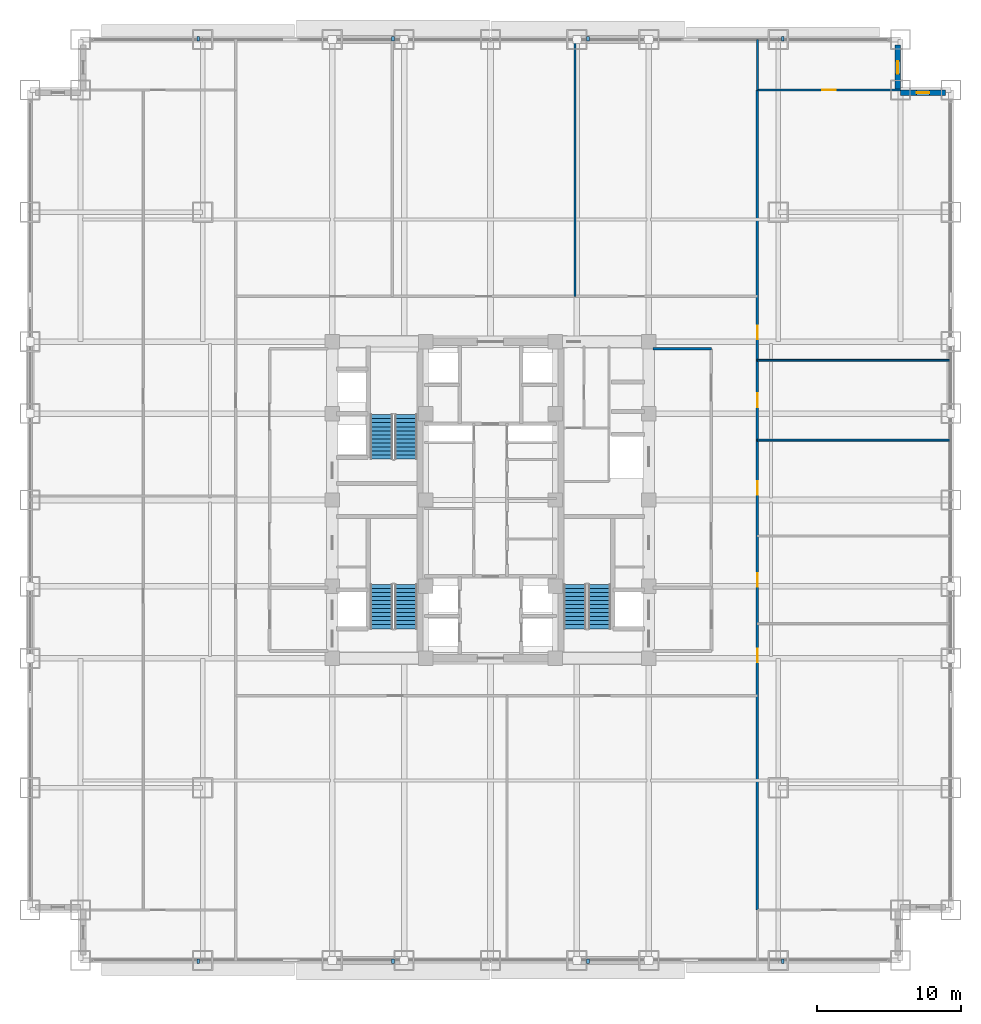
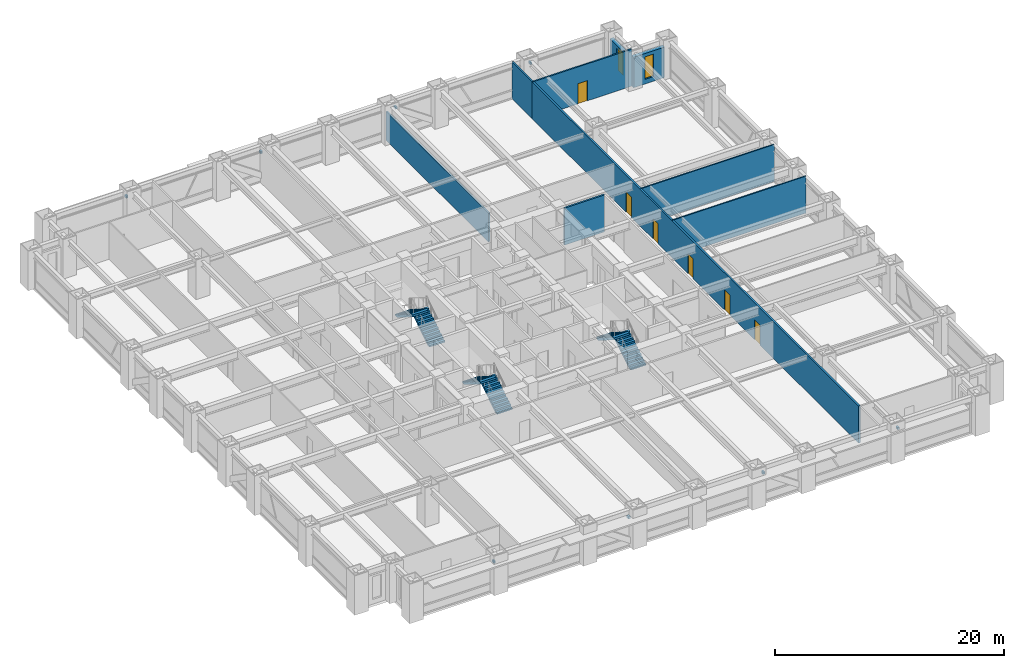
# One storey, part 27 of 32: 9 walls, 8 discrete accessories, 6 doors, 6 stair flights, 2 windows, 8 openings, 3 elements without a shape of their own.
"""IFC4 building model written with IfcOpenShell, lengths in metres."""

from ifc_helpers import new_model, si_unit, direction, frame, frame_2d, origin, origin_2d, place, context, subcontext, project, spatial, polyline, rectangle, outline, extrude, source, transform, mapped, material, layer, layer_set, type_object, element, fill, aggregate, save


model = new_model("IFC4")

# Units and contexts
model_context = context("Model", 3, precision=1e-05, world=origin(), true_north=direction((0.0, 1.0)))
body_context = subcontext(model_context, "Body", "Model", "MODEL_VIEW")
ifc_project = project(units=[si_unit("LENGTHUNIT", "METRE"), si_unit("AREAUNIT", "SQUARE_METRE"), si_unit("VOLUMEUNIT", "CUBIC_METRE"), si_unit("PLANEANGLEUNIT", "RADIAN"), si_unit("MASSUNIT", "GRAM", prefix="KILO")], contexts=[model_context])

# Site, building, storey
site_placement = place(None, origin())
site = spatial("IfcSite", under=ifc_project, at=site_placement, CompositionType="ELEMENT")
building_placement = place(site_placement, origin())
building = spatial("IfcBuilding", under=site, at=building_placement, Name="Khorayat Bourse Tower", CompositionType="ELEMENT")
storey_placement = place(building_placement, frame((0.0, 0.0, 74.60009765625)))
storey = spatial("IfcBuildingStorey", under=building, at=storey_placement, Name="L16", CompositionType="ELEMENT", Elevation=74.60009765625)

# Wall, opening, window
ifc_material_1 = material(Name="Precast concrete C45/55", Category="concrete")
ifc_layer_1 = layer(ifc_material_1, 0.3798828125)
ifc_layer_set_1 = layer_set([ifc_layer_1], Name="Precast concrete C45/55")
wall_type_1 = type_object("IfcWallType", Name="WAL-EXT-STONE-380", PredefinedType="STANDARD", material=ifc_layer_set_1)
shared_shape_1 = source(origin(), body_context, "Body", "SweptSolid", [
    extrude(rectangle(XDim=3.1201171875, YDim=0.3798828125, at=frame_2d((1.56005859375, 0.0))), origin(), (0.0, 0.0, 1.0), 3.244873046875),
])
wall_1_placement = place(storey_placement, frame((28.5, 28.31005859375, 0.0), z_axis=(0.0, 0.0, 1.0), x_axis=(1.0, 0.0, 0.0)))
wall_1 = element("IfcWall", 1, at=wall_1_placement, inside=storey, type_object=wall_type_1, Name="L16 Re-Entrant Notch Limestone Wall NE-H", PredefinedType="STANDARD", context=body_context, shape_type="MappedRepresentation", body=[
    mapped(shared_shape_1, transform((0.0, 0.0, 0.0), scale=1.0)),
])
shared_shape_2 = source(origin(), body_context, "Body", "SweptSolid", [
    extrude(rectangle(XDim=0.89990234375, YDim=2.39990234375, at=frame_2d((0.449951171875, 1.199951171875))), frame((0.0, 0.199951171875, 0.0), z_axis=(0.0, -1.0, 0.0), x_axis=(1.0, 0.0, 0.0)), (0.0, 0.0, 1.0), 0.39990234375),
])
opening_1_placement = place(wall_1_placement, frame((1.110107421875, 0.0, 0.5)))
opening_1 = element("IfcOpeningElement", 2, at=opening_1_placement, cuts=wall_1, Name="Opening WN-03", PredefinedType="OPENING", context=body_context, shape_type="MappedRepresentation", body=[
    mapped(shared_shape_2, transform((0.0, 0.0, 0.0), scale=1.0)),
])
ifc_material_2 = material(Name="Deep-reveal solar-control double glazing", Category="glass")
window_type = type_object("IfcWindowType", Name="WIN-SLOT-900x2400", PartitioningType="SINGLE_PANEL", PredefinedType="WINDOW", material=ifc_material_2)
shared_shape_3 = source(origin(), body_context, "Body", "SweptSolid", [
    extrude(rectangle(XDim=0.89990234375, YDim=2.39990234375, at=frame_2d((0.449951171875, 1.199951171875))), frame((0.0, 0.030029296875, 0.0), z_axis=(0.0, -1.0, 0.0), x_axis=(1.0, 0.0, 0.0)), (0.0, 0.0, 1.0), 0.06005859375),
])
window_1_placement = place(opening_1_placement, origin())
window_1 = element("IfcWindow", 3, at=window_1_placement, inside=storey, type_object=window_type, Name="L16 Facade Window 1", OverallHeight=2.39990234375, OverallWidth=0.89990234375, PartitioningType="SINGLE_PANEL", PredefinedType="WINDOW", context=body_context, shape_type="MappedRepresentation", body=[
    mapped(shared_shape_3, transform((0.0, 0.0, 0.0), scale=1.0)),
])
fill(opening_1, window_1)

wall_2_placement = place(storey_placement, frame((28.31005859375, 28.5, 0.0), z_axis=(0.0, 0.0, 1.0), x_axis=(0.0, 1.0, 0.0)))
wall_2 = element("IfcWall", 4, at=wall_2_placement, inside=storey, type_object=wall_type_1, Name="L16 Re-Entrant Notch Limestone Wall NE-V", PredefinedType="STANDARD", context=body_context, shape_type="MappedRepresentation", body=[
    mapped(shared_shape_1, transform((0.0, 0.0, 0.0), scale=1.0)),
])
opening_2_placement = place(wall_2_placement, frame((1.110107421875, 0.0, 0.5)))
opening_2 = element("IfcOpeningElement", 5, at=opening_2_placement, cuts=wall_2, Name="Opening WN-03", PredefinedType="OPENING", context=body_context, shape_type="MappedRepresentation", body=[
    mapped(shared_shape_2, transform((0.0, 0.0, 0.0), scale=1.0)),
])
window_2_placement = place(opening_2_placement, origin())
window_2 = element("IfcWindow", 6, at=window_2_placement, inside=storey, type_object=window_type, Name="L16 Facade Window 1", OverallHeight=2.39990234375, OverallWidth=0.89990234375, PartitioningType="SINGLE_PANEL", PredefinedType="WINDOW", context=body_context, shape_type="MappedRepresentation", body=[
    mapped(shared_shape_3, transform((0.0, 0.0, 0.0), scale=1.0)),
])
fill(opening_2, window_2)

# Walls
ifc_material_3 = material(Name="Gypsum plasterboard acoustic stud wall")
ifc_layer_2 = layer(ifc_material_3, 0.179931640625)
ifc_layer_set_2 = layer_set([ifc_layer_2], Name="Gypsum plasterboard acoustic stud wall")
wall_type_2 = type_object("IfcWallType", Name="WAL-PART-CORR-180", PredefinedType="PARTITIONING", material=ifc_layer_set_2)
shared_shape_4 = source(origin(), body_context, "Body", "SweptSolid", [
    extrude(rectangle(XDim=4.050048828125, YDim=0.179931640625, at=frame_2d((2.02490234375, 0.0))), origin(), (0.0, 0.0, 1.0), 3.93994140625),
])
wall_3_placement = place(storey_placement, frame((11.300048828125, 10.5, 0.0), z_axis=(0.0, 0.0, 1.0), x_axis=(1.0, 0.0, 0.0)))
element("IfcWall", 7, at=wall_3_placement, inside=storey, type_object=wall_type_2, Name="L16 Partition WAL-L16-ELOB-N", PredefinedType="PARTITIONING", context=body_context, shape_type="MappedRepresentation", body=[
    mapped(shared_shape_4, transform((0.0, 0.0, 0.0), scale=1.0)),
])
ifc_material_4 = material(Name="Gypsum plasterboard twin-frame partition")
ifc_layer_3 = layer(ifc_material_4, 0.14990234375)
ifc_layer_set_3 = layer_set([ifc_layer_3], Name="Gypsum plasterboard twin-frame partition")
wall_type_3 = type_object("IfcWallType", Name="WAL-PART-SUITE-150", PredefinedType="PARTITIONING", material=ifc_layer_set_3)
shared_shape_5 = source(origin(), body_context, "Body", "SweptSolid", [
    extrude(rectangle(XDim=3.5, YDim=0.14990234375, at=frame_2d((1.75, 0.0))), origin(), (0.0, 0.0, 1.0), 3.93994140625),
])
wall_4_placement = place(storey_placement, frame((18.550048828125, 28.5, 0.0), z_axis=(0.0, 0.0, 1.0), x_axis=(0.0, 1.0, 0.0)))
element("IfcWall", 8, at=wall_4_placement, inside=storey, type_object=wall_type_3, Name="L16 Partition WAL-L16-NCE-END", PredefinedType="PARTITIONING", context=body_context, shape_type="MappedRepresentation", body=[
    mapped(shared_shape_5, transform((0.0, 0.0, 0.0), scale=1.0)),
])

# Wall, openings, doors
shared_shape_6 = source(origin(), body_context, "Body", "SweptSolid", [
    extrude(rectangle(XDim=57.0, YDim=0.179931640625, at=frame_2d((28.5, 0.0))), origin(), (0.0, 0.0, 1.0), 3.93994140625),
])
wall_5_placement = place(storey_placement, frame((18.550048828125, -28.5, 0.0), z_axis=(0.0, 0.0, 1.0), x_axis=(0.0, 1.0, 0.0)))
wall_5 = element("IfcWall", 9, at=wall_5_placement, inside=storey, type_object=wall_type_2, Name="L16 Partition WAL-L16-ECORR", PredefinedType="PARTITIONING", context=body_context, shape_type="MappedRepresentation", body=[
    mapped(shared_shape_6, transform((0.0, 0.0, 0.0), scale=1.0)),
])
shared_shape_7 = source(origin(), body_context, "Body", "SweptSolid", [
    extrude(rectangle(XDim=0.949951171875, YDim=2.14990234375, at=frame_2d((0.47509765625, 1.074951171875))), frame((0.0, 0.099853515625, 0.0), z_axis=(0.0, -1.0, 0.0), x_axis=(1.0, 0.0, 0.0)), (0.0, 0.0, 1.0), 0.199951171875),
])
opening_3_placement = place(wall_5_placement, frame((17.222412109375, 0.0, 0.0)))
opening_3 = element("IfcOpeningElement", 10, at=opening_3_placement, cuts=wall_5, Name="Opening DI-05", PredefinedType="OPENING", context=body_context, shape_type="MappedRepresentation", body=[
    mapped(shared_shape_7, transform((0.0, 0.0, 0.0), scale=1.0)),
])
opening_4_placement = place(wall_5_placement, frame((22.472412109375, 0.0, 0.0)))
opening_4 = element("IfcOpeningElement", 11, at=opening_4_placement, cuts=wall_5, Name="Opening DI-05", PredefinedType="OPENING", context=body_context, shape_type="MappedRepresentation", body=[
    mapped(shared_shape_7, transform((0.0, 0.0, 0.0), scale=1.0)),
])
opening_5_placement = place(wall_5_placement, frame((28.85498046875, 0.0, 0.0)))
opening_5 = element("IfcOpeningElement", 12, at=opening_5_placement, cuts=wall_5, Name="Opening DI-05", PredefinedType="OPENING", context=body_context, shape_type="MappedRepresentation", body=[
    mapped(shared_shape_7, transform((0.0, 0.0, 0.0), scale=1.0)),
])
opening_6_placement = place(wall_5_placement, frame((34.9599609375, 0.0, 0.0)))
opening_6 = element("IfcOpeningElement", 13, at=opening_6_placement, cuts=wall_5, Name="Opening DI-05", PredefinedType="OPENING", context=body_context, shape_type="MappedRepresentation", body=[
    mapped(shared_shape_7, transform((0.0, 0.0, 0.0), scale=1.0)),
])
opening_7_placement = place(wall_5_placement, frame((39.655029296875, 0.0, 0.0)))
opening_7 = element("IfcOpeningElement", 14, at=opening_7_placement, cuts=wall_5, Name="Opening DI-05", PredefinedType="OPENING", context=body_context, shape_type="MappedRepresentation", body=[
    mapped(shared_shape_7, transform((0.0, 0.0, 0.0), scale=1.0)),
])
ifc_material_5 = material(Name="Acoustic oak veneer office door")
door_type = type_object("IfcDoorType", Name="DR-INT-OFFICE-950", OperationType="NOTDEFINED", PredefinedType="DOOR", material=ifc_material_5)
shared_shape_8 = source(origin(), body_context, "Body", "SweptSolid", [
    extrude(rectangle(XDim=0.949951171875, YDim=2.14990234375, at=frame_2d((0.47509765625, 1.074951171875))), frame((0.0, 0.02490234375, 0.0), z_axis=(0.0, -1.0, 0.0), x_axis=(1.0, 0.0, 0.0)), (0.0, 0.0, 1.0), 0.050048828125),
])
door_1_placement = place(opening_3_placement, origin())
door_1 = element("IfcDoor", 15, at=door_1_placement, inside=storey, type_object=door_type, Name="L16 Clearing Records Archive Store E1 Door", OperationType="SINGLE_SWING_RIGHT", OverallHeight=2.14990234375, OverallWidth=0.949951171875, PredefinedType="DOOR", context=body_context, shape_type="MappedRepresentation", body=[
    mapped(shared_shape_8, transform((0.0, 0.0, 0.0), scale=1.0)),
])
fill(opening_3, door_1)
door_2_placement = place(opening_4_placement, origin())
door_2 = element("IfcDoor", 16, at=door_2_placement, inside=storey, type_object=door_type, Name="L16 Executive Boardroom E2 Door", OperationType="SINGLE_SWING_LEFT", OverallHeight=2.14990234375, OverallWidth=0.949951171875, PredefinedType="DOOR", context=body_context, shape_type="MappedRepresentation", body=[
    mapped(shared_shape_8, transform((0.0, 0.0, 0.0), scale=1.0)),
])
fill(opening_4, door_2)
door_3_placement = place(opening_5_placement, origin())
door_3 = element("IfcDoor", 17, at=door_3_placement, inside=storey, type_object=door_type, Name="L16 Issuer Listing Showroom E3 Door", OperationType="SINGLE_SWING_RIGHT", OverallHeight=2.14990234375, OverallWidth=0.949951171875, PredefinedType="DOOR", context=body_context, shape_type="MappedRepresentation", body=[
    mapped(shared_shape_8, transform((0.0, 0.0, 0.0), scale=1.0)),
])
fill(opening_5, door_3)
door_4_placement = place(opening_6_placement, origin())
door_4 = element("IfcDoor", 18, at=door_4_placement, inside=storey, type_object=door_type, Name="L16 Brokerage Member Kiosk E4 Door", OperationType="SINGLE_SWING_LEFT", OverallHeight=2.14990234375, OverallWidth=0.949951171875, PredefinedType="DOOR", context=body_context, shape_type="MappedRepresentation", body=[
    mapped(shared_shape_8, transform((0.0, 0.0, 0.0), scale=1.0)),
])
fill(opening_6, door_4)
door_5_placement = place(opening_7_placement, origin())
door_5 = element("IfcDoor", 19, at=door_5_placement, inside=storey, type_object=door_type, Name="L16 Issuer Listing Showroom E5 Door", OperationType="SINGLE_SWING_RIGHT", OverallHeight=2.14990234375, OverallWidth=0.949951171875, PredefinedType="DOOR", context=body_context, shape_type="MappedRepresentation", body=[
    mapped(shared_shape_8, transform((0.0, 0.0, 0.0), scale=1.0)),
])
fill(opening_7, door_5)

# Walls
ifc_material_6 = material(Name="Gypsum plasterboard partition")
ifc_layer_4 = layer(ifc_material_6, 0.125)
ifc_layer_set_4 = layer_set([ifc_layer_4], Name="Gypsum plasterboard partition")
wall_type_4 = type_object("IfcWallType", Name="WAL-PART-ROOM-125", PredefinedType="PARTITIONING", material=ifc_layer_set_4)
shared_shape_9 = source(origin(), body_context, "Body", "SweptSolid", [
    extrude(rectangle(XDim=13.449951171875, YDim=0.125, at=frame_2d((6.72509765625, 0.0))), origin(), (0.0, 0.0, 1.0), 3.93994140625),
])
for number, where, z_axis, x_axis, name in (
    (20, (18.550048828125, 4.159912109375, 0.0), (0.0, 0.0, 1.0), (1.0, 0.0, 0.0), "L16 Partition WAL-L16-EDV-3"),
    (21, (18.550048828125, 9.7099609375, 0.0), (0.0, 0.0, 1.0), (1.0, 0.0, 0.0), "L16 Partition WAL-L16-EDV-4"),
):
    element("IfcWall", number, at=place(storey_placement, frame(where, z_axis=z_axis, x_axis=x_axis)), inside=storey, type_object=wall_type_4, Name=name, PredefinedType="PARTITIONING", context=body_context, shape_type="MappedRepresentation", body=[
        mapped(shared_shape_9, transform((0.0, 0.0, 0.0), scale=1.0)),
    ])

# Wall, opening, door
shared_shape_10 = source(origin(), body_context, "Body", "SweptSolid", [
    extrude(rectangle(XDim=9.949951171875, YDim=0.14990234375, at=frame_2d((4.97509765625, 0.0))), origin(), (0.0, 0.0, 1.0), 3.93994140625),
])
wall_6_placement = place(storey_placement, frame((18.550048828125, 28.5, 0.0), z_axis=(0.0, 0.0, 1.0), x_axis=(1.0, 0.0, 0.0)))
wall_6 = element("IfcWall", 22, at=wall_6_placement, inside=storey, type_object=wall_type_3, Name="L16 Partition WAL-L16-CNE", PredefinedType="PARTITIONING", context=body_context, shape_type="MappedRepresentation", body=[
    mapped(shared_shape_10, transform((0.0, 0.0, 0.0), scale=1.0)),
])
shared_shape_11 = source(origin(), body_context, "Body", "SweptSolid", [
    extrude(rectangle(XDim=0.949951171875, YDim=2.14990234375, at=frame_2d((0.47509765625, 1.074951171875))), frame((0.0, 0.0849609375, 0.0), z_axis=(0.0, -1.0, 0.0), x_axis=(1.0, 0.0, 0.0)), (0.0, 0.0, 1.0), 0.169921875),
])
opening_8_placement = place(wall_6_placement, frame((4.5, 0.0, 0.0)))
opening_8 = element("IfcOpeningElement", 23, at=opening_8_placement, cuts=wall_6, Name="Opening DI-05", PredefinedType="OPENING", context=body_context, shape_type="MappedRepresentation", body=[
    mapped(shared_shape_11, transform((0.0, 0.0, 0.0), scale=1.0)),
])
door_6_placement = place(opening_8_placement, origin())
door_6 = element("IfcDoor", 24, at=door_6_placement, inside=storey, type_object=door_type, Name="L16 North-East Corner Lounge Door", OperationType="SINGLE_SWING_LEFT", OverallHeight=2.14990234375, OverallWidth=0.949951171875, PredefinedType="DOOR", context=body_context, shape_type="MappedRepresentation", body=[
    mapped(shared_shape_8, transform((0.0, 0.0, 0.0), scale=1.0)),
])
fill(opening_8, door_6)

# Wall
shared_shape_12 = source(origin(), body_context, "Body", "SweptSolid", [
    extrude(rectangle(XDim=17.85009765625, YDim=0.14990234375, at=frame_2d((8.925048828125, 0.0))), origin(), (0.0, 0.0, 1.0), 3.0849609375),
])
wall_7_placement = place(storey_placement, frame((5.862548828125, 14.14990234375, 0.0), z_axis=(0.0, 0.0, 1.0), x_axis=(0.0, 1.0, 0.0)))
element("IfcWall", 25, at=wall_7_placement, inside=storey, type_object=wall_type_3, Name="L16 Partition WAL-L16-NDV-2", PredefinedType="PARTITIONING", context=body_context, shape_type="MappedRepresentation", body=[
    mapped(shared_shape_12, transform((0.0, 0.0, 0.0), scale=1.0)),
])

# Stair, stair flights
ifc_material_7 = material(Name="Concrete C40/50", Category="concrete")
stair_type = type_object("IfcStairType", Name="STR-CORE-1550", PredefinedType="HALF_TURN_STAIR", material=ifc_material_7)
stair_1_placement = place(storey_placement, origin())
stair_1 = element("IfcStair", 26, at=stair_1_placement, inside=storey, type_object=stair_type, Name="L16 Exit Stair ST-1", PredefinedType="HALF_TURN_STAIR")
stair_flight_type = type_object("IfcStairFlightType", Name="FLT-CORE-1550", PredefinedType="STRAIGHT", material=ifc_material_7)
shared_shape_13 = source(origin(), body_context, "Body", "SweptSolid", [
    extrude(outline(polyline([(0.0, 0.0), (0.0, 0.175048828125), (0.280029296875, 0.175048828125), (0.280029296875, 0.35009765625), (0.56005859375, 0.35009765625), (0.56005859375, 0.52490234375), (0.840087890625, 0.52490234375), (0.840087890625, 0.699951171875), (1.1201171875, 0.699951171875), (1.1201171875, 0.875), (1.39990234375, 0.875), (1.39990234375, 1.050048828125), (1.679931640625, 1.050048828125), (1.679931640625, 1.22509765625), (1.9599609375, 1.22509765625), (1.9599609375, 1.39990234375), (2.239990234375, 1.39990234375), (2.239990234375, 1.574951171875), (2.52001953125, 1.574951171875), (2.52001953125, 1.75), (2.800048828125, 1.75), (2.800048828125, 1.925048828125), (3.080078125, 1.925048828125), (3.080078125, 2.10009765625), (3.080078125, 1.712890625), (0.339599609375, 0.0), (0.0, 0.0)])), frame((0.0, 0.77490234375, 0.0), z_axis=(0.0, -1.0, 0.0), x_axis=(1.0, 0.0, 0.0)), (0.0, 0.0, 1.0), 1.550048828125),
])
stair_flight_1_placement = place(storey_placement, frame((-5.875, -8.949951171875, 0.0), z_axis=(0.0, 0.0, 1.0), x_axis=(0.0, 1.0, 0.0)))
stair_flight_1 = element("IfcStairFlight", 27, at=stair_flight_1_placement, type_object=stair_flight_type, Name="ST-1 flight 1", NumberOfRisers=12, NumberOfTreads=11, PredefinedType="STRAIGHT", RiserHeight=0.175, TreadLength=0.28, context=body_context, shape_type="MappedRepresentation", body=[
    mapped(shared_shape_13, transform((0.0, 0.0, 0.0), scale=1.0)),
])
stair_flight_2_placement = place(storey_placement, frame((-7.574951171875, -5.8701171875, 2.099853515625), z_axis=(0.0, 0.0, 1.0), x_axis=(0.0, -1.0, 0.0)))
stair_flight_2 = element("IfcStairFlight", 28, at=stair_flight_2_placement, type_object=stair_flight_type, Name="ST-1 flight 2", NumberOfRisers=12, NumberOfTreads=11, PredefinedType="STRAIGHT", RiserHeight=0.175, TreadLength=0.28, context=body_context, shape_type="MappedRepresentation", body=[
    mapped(shared_shape_13, transform((0.0, 0.0, 0.0), scale=1.0)),
])
aggregate(stair_1, [stair_flight_1, stair_flight_2])

stair_2_placement = place(storey_placement, origin())
stair_2 = element("IfcStair", 29, at=stair_2_placement, inside=storey, type_object=stair_type, Name="L16 Exit Stair ST-2", PredefinedType="HALF_TURN_STAIR")
stair_flight_3_placement = place(storey_placement, frame((-5.875, 2.85009765625, 0.0), z_axis=(0.0, 0.0, 1.0), x_axis=(0.0, 1.0, 0.0)))
stair_flight_3 = element("IfcStairFlight", 30, at=stair_flight_3_placement, type_object=stair_flight_type, Name="ST-2 flight 1", NumberOfRisers=12, NumberOfTreads=11, PredefinedType="STRAIGHT", RiserHeight=0.175, TreadLength=0.28, context=body_context, shape_type="MappedRepresentation", body=[
    mapped(shared_shape_13, transform((0.0, 0.0, 0.0), scale=1.0)),
])
stair_flight_4_placement = place(storey_placement, frame((-7.574951171875, 5.929931640625, 2.099853515625), z_axis=(0.0, 0.0, 1.0), x_axis=(0.0, -1.0, 0.0)))
stair_flight_4 = element("IfcStairFlight", 31, at=stair_flight_4_placement, type_object=stair_flight_type, Name="ST-2 flight 2", NumberOfRisers=12, NumberOfTreads=11, PredefinedType="STRAIGHT", RiserHeight=0.175, TreadLength=0.28, context=body_context, shape_type="MappedRepresentation", body=[
    mapped(shared_shape_13, transform((0.0, 0.0, 0.0), scale=1.0)),
])
aggregate(stair_2, [stair_flight_3, stair_flight_4])

stair_3_placement = place(storey_placement, origin())
stair_3 = element("IfcStair", 32, at=stair_3_placement, inside=storey, type_object=stair_type, Name="L16 Exit Stair ST-3", PredefinedType="HALF_TURN_STAIR")
stair_flight_5_placement = place(storey_placement, frame((7.574951171875, -8.949951171875, 0.0), z_axis=(0.0, 0.0, 1.0), x_axis=(0.0, 1.0, 0.0)))
stair_flight_5 = element("IfcStairFlight", 33, at=stair_flight_5_placement, type_object=stair_flight_type, Name="ST-3 flight 1", NumberOfRisers=12, NumberOfTreads=11, PredefinedType="STRAIGHT", RiserHeight=0.175, TreadLength=0.28, context=body_context, shape_type="MappedRepresentation", body=[
    mapped(shared_shape_13, transform((0.0, 0.0, 0.0), scale=1.0)),
])
stair_flight_6_placement = place(storey_placement, frame((5.875, -5.8701171875, 2.099853515625), z_axis=(0.0, 0.0, 1.0), x_axis=(0.0, -1.0, 0.0)))
stair_flight_6 = element("IfcStairFlight", 34, at=stair_flight_6_placement, type_object=stair_flight_type, Name="ST-3 flight 2", NumberOfRisers=12, NumberOfTreads=11, PredefinedType="STRAIGHT", RiserHeight=0.175, TreadLength=0.28, context=body_context, shape_type="MappedRepresentation", body=[
    mapped(shared_shape_13, transform((0.0, 0.0, 0.0), scale=1.0)),
])
aggregate(stair_3, [stair_flight_5, stair_flight_6])

# Discrete accessories
ifc_material_8 = material(Name="Steel EN 10025-2 S355J2", Category="steel")
discrete_accessory_type = type_object("IfcDiscreteAccessoryType", Name="ACC-SHADE-BRACKET", PredefinedType="BRACKET", material=ifc_material_8)
shared_shape_14 = source(origin(), body_context, "Body", "SweptSolid", [
    extrude(rectangle(XDim=0.179931640625, YDim=0.300048828125, at=origin_2d()), origin(), (0.0, 0.0, 1.0), 0.239990234375),
])
for number, where, z_axis, x_axis, name in (
    (35, (-20.324951171875, -32.06005859375, 3.0400390625), (0.0, 0.0, 1.0), (1.0, 0.0, 0.0), "L16 Sunshade Support Bracket S-1"),
    (36, (-6.77490234375, -32.06005859375, 3.0400390625), (0.0, 0.0, 1.0), (1.0, 0.0, 0.0), "L16 Sunshade Support Bracket S-2"),
    (37, (6.77490234375, -32.06005859375, 3.0400390625), (0.0, 0.0, 1.0), (1.0, 0.0, 0.0), "L16 Sunshade Support Bracket S-3"),
    (38, (20.324951171875, -32.06005859375, 3.0400390625), (0.0, 0.0, 1.0), (1.0, 0.0, 0.0), "L16 Sunshade Support Bracket S-4"),
    (39, (-20.324951171875, 32.06005859375, 3.0400390625), (0.0, 0.0, 1.0), (1.0, 0.0, 0.0), "L16 Sunshade Support Bracket N-1"),
    (40, (-6.77490234375, 32.06005859375, 3.0400390625), (0.0, 0.0, 1.0), (1.0, 0.0, 0.0), "L16 Sunshade Support Bracket N-2"),
    (41, (6.77490234375, 32.06005859375, 3.0400390625), (0.0, 0.0, 1.0), (1.0, 0.0, 0.0), "L16 Sunshade Support Bracket N-3"),
    (42, (20.324951171875, 32.06005859375, 3.0400390625), (0.0, 0.0, 1.0), (1.0, 0.0, 0.0), "L16 Sunshade Support Bracket N-4"),
):
    element("IfcDiscreteAccessory", number, at=place(storey_placement, frame(where, z_axis=z_axis, x_axis=x_axis)), inside=storey, type_object=discrete_accessory_type, Name=name, PredefinedType="BRACKET", context=body_context, shape_type="MappedRepresentation", body=[
        mapped(shared_shape_14, transform((0.0, 0.0, 0.0), scale=1.0)),
    ])

save(model, "model.ifc")
